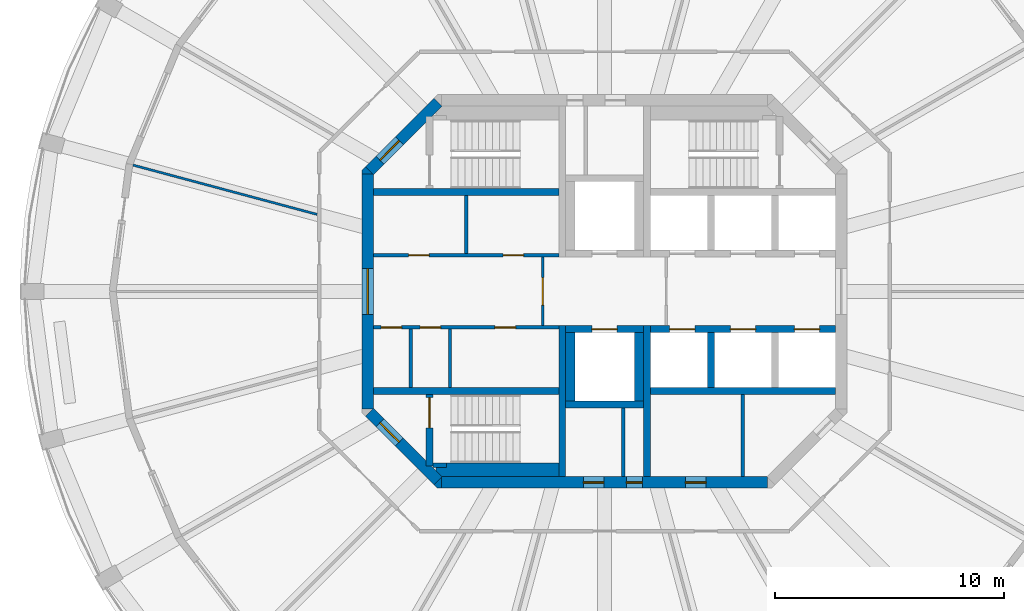
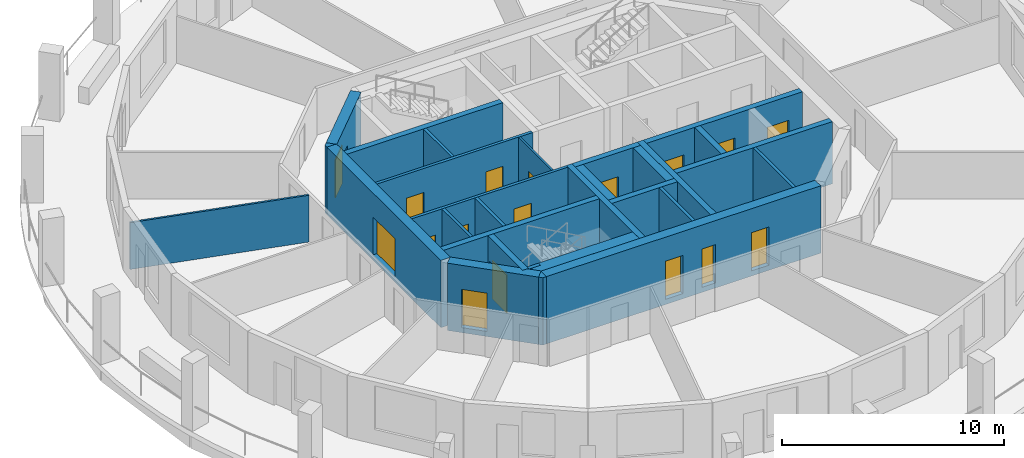
# One storey, part 3 of 8: 29 walls, 17 doors, 17 openings.
"""IFC4 building model written with IfcOpenShell, lengths in metres."""

from ifc_helpers import new_model, si_unit, direction, frame, frame_2d, origin, place, context, subcontext, project, spatial, polyline, rectangle, outline, extrude, material, layer, layer_set, type_object, element, fill, save


model = new_model("IFC4")

# Units and contexts
model_context = context("Model", 3, precision=1e-05, world=origin(), true_north=direction((0.0, 1.0)))
body_context = subcontext(model_context, "Body", "Model", "MODEL_VIEW")
ifc_project = project(units=[si_unit("LENGTHUNIT", "METRE"), si_unit("AREAUNIT", "SQUARE_METRE"), si_unit("VOLUMEUNIT", "CUBIC_METRE"), si_unit("PLANEANGLEUNIT", "RADIAN"), si_unit("MASSUNIT", "GRAM", prefix="KILO")], contexts=[model_context])

# Site, building, storey
site_placement = place(None, origin())
site = spatial("IfcSite", under=ifc_project, at=site_placement, CompositionType="ELEMENT")
building_placement = place(site_placement, origin())
building = spatial("IfcBuilding", under=site, at=building_placement, Name="Torre Triforio", CompositionType="ELEMENT")
storey_placement = place(building_placement, frame((0.0, 0.0, 283.39990234375)))
storey = spatial("IfcBuildingStorey", under=building, at=storey_placement, Name="L65", CompositionType="ELEMENT", Elevation=283.39990234375)

# Walls
ifc_material_1 = material(Name="Concrete C40", Category="concrete")
ifc_layer_1 = layer(ifc_material_1, 0.300048828125)
ifc_layer_set_1 = layer_set([ifc_layer_1], Name="Concrete C40")
wall_type_1 = type_object("IfcWallType", Name="Core wall 300 mm C40 EI 120", PredefinedType="SHEAR", material=ifc_layer_set_1)
for number, where, z_axis, x_axis, name in (
    (1, (-1.85009765625, -8.10009765625, 0.0), (0.0, 0.0, 1.0), (0.0, 1.0, 0.0), "Core wall"),
    (2, (1.85009765625, -8.10009765625, 0.0), (0.0, 0.0, 1.0), (0.0, 1.0, 0.0), "Core wall"),
):
    element("IfcWall", number, at=place(storey_placement, frame(where, z_axis=z_axis, x_axis=x_axis)), inside=storey, type_object=wall_type_1, Name=name, PredefinedType="SHEAR", context=body_context, shape_type="SweptSolid", body=[
        extrude(rectangle(XDim=6.60009765625, YDim=0.300048828125, at=frame_2d((3.300048828125, 0.0))), origin(), (0.0, 0.0, 1.0), 3.420166015625),
    ])

# Wall, openings, doors
ifc_layer_2 = layer(ifc_material_1, 0.5)
ifc_layer_set_2 = layer_set([ifc_layer_2], Name="Concrete C40")
wall_type_2 = type_object("IfcWallType", Name="Core wall 500 mm C40 EI 120", PredefinedType="SHEAR", material=ifc_layer_set_2)
wall_1_placement = place(storey_placement, frame((-7.1298828125, -8.35009765625, -0.27978515625), z_axis=(0.0, 0.0, 1.0), x_axis=(1.0, 0.0, 0.0)))
wall_1 = element("IfcWall", 3, at=wall_1_placement, inside=storey, type_object=wall_type_2, Name="Core wall", PredefinedType="SHEAR", context=body_context, shape_type="SweptSolid", body=[
    extrude(rectangle(XDim=14.259765625, YDim=0.5, at=frame_2d((7.1298828125, 0.0))), origin(), (0.0, 0.0, 1.0), 3.699951171875),
])
opening_1_placement = place(wall_1_placement, frame((8.080078125, 0.0, 0.280029296875)))
opening_1 = element("IfcOpeningElement", 4, at=opening_1_placement, cuts=wall_1, Name="Opening RISER-S", PredefinedType="OPENING", context=body_context, shape_type="SweptSolid", body=[
    extrude(rectangle(XDim=0.699951171875, YDim=2.10009765625, at=frame_2d((0.35009765625, 1.050048828125))), frame((0.0, 0.260009765625, 0.0), z_axis=(0.0, -1.0, 0.0), x_axis=(1.0, 0.0, 0.0)), (0.0, 0.0, 1.0), 0.52001953125),
])
opening_2_placement = place(wall_1_placement, frame((6.205078125, 0.0, 0.280029296875)))
opening_2 = element("IfcOpeningElement", 5, at=opening_2_placement, cuts=wall_1, Name="Opening SW-01B", PredefinedType="OPENING", context=body_context, shape_type="SweptSolid", body=[
    extrude(rectangle(XDim=0.89990234375, YDim=2.10009765625, at=frame_2d((0.449951171875, 1.050048828125))), frame((0.0, 0.260009765625, 0.0), z_axis=(0.0, -1.0, 0.0), x_axis=(1.0, 0.0, 0.0)), (0.0, 0.0, 1.0), 0.52001953125),
])
opening_3_placement = place(wall_1_placement, frame((10.66748046875, 0.0, 0.280029296875)))
opening_3 = element("IfcOpeningElement", 6, at=opening_3_placement, cuts=wall_1, Name="Opening SE-01A", PredefinedType="OPENING", context=body_context, shape_type="SweptSolid", body=[
    extrude(rectangle(XDim=0.89990234375, YDim=2.10009765625, at=frame_2d((0.449951171875, 1.050048828125))), frame((0.0, 0.260009765625, 0.0), z_axis=(0.0, -1.0, 0.0), x_axis=(1.0, 0.0, 0.0)), (0.0, 0.0, 1.0), 0.52001953125),
])
ifc_material_2 = material(Name="Hollow metal fire door leaf")
door_type_1 = type_object("IfcDoorType", Name="Riser door 700 x 2100 EI 60", OperationType="NOTDEFINED", PredefinedType="DOOR", material=ifc_material_2)
door_1_placement = place(opening_1_placement, origin())
door_1 = element("IfcDoor", 7, at=door_1_placement, inside=storey, type_object=door_type_1, Name="Core door RISER-S", OperationType="SINGLE_SWING_RIGHT", OverallHeight=2.10009765625, OverallWidth=0.699951171875, PredefinedType="DOOR", context=body_context, shape_type="SweptSolid", body=[
    extrude(rectangle(XDim=0.699951171875, YDim=2.10009765625, at=frame_2d((0.35009765625, 1.050048828125))), frame((0.0, 0.02490234375, 0.0), z_axis=(0.0, -1.0, 0.0), x_axis=(1.0, 0.0, 0.0)), (0.0, 0.0, 1.0), 0.050048828125),
])
fill(opening_1, door_1)
door_type_2 = type_object("IfcDoorType", Name="Room door 900 x 2100 EI 60", OperationType="NOTDEFINED", PredefinedType="DOOR", material=ifc_material_2)
door_2_placement = place(opening_2_placement, origin())
door_2 = element("IfcDoor", 8, at=door_2_placement, inside=storey, type_object=door_type_2, Name="Core door SW-01", OperationType="SINGLE_SWING_LEFT", OverallHeight=2.10009765625, OverallWidth=0.89990234375, PredefinedType="DOOR", context=body_context, shape_type="SweptSolid", body=[
    extrude(rectangle(XDim=0.89990234375, YDim=2.10009765625, at=frame_2d((0.449951171875, 1.050048828125))), frame((0.0, 0.02490234375, 0.0), z_axis=(0.0, -1.0, 0.0), x_axis=(1.0, 0.0, 0.0)), (0.0, 0.0, 1.0), 0.050048828125),
])
fill(opening_2, door_2)
door_3_placement = place(opening_3_placement, origin())
door_3 = element("IfcDoor", 9, at=door_3_placement, inside=storey, type_object=door_type_2, Name="Core door SE-01", OperationType="SINGLE_SWING_LEFT", OverallHeight=2.10009765625, OverallWidth=0.89990234375, PredefinedType="DOOR", context=body_context, shape_type="SweptSolid", body=[
    extrude(rectangle(XDim=0.89990234375, YDim=2.10009765625, at=frame_2d((0.449951171875, 1.050048828125))), frame((0.0, 0.02490234375, 0.0), z_axis=(0.0, -1.0, 0.0), x_axis=(1.0, 0.0, 0.0)), (0.0, 0.0, 1.0), 0.050048828125),
])
fill(opening_3, door_3)

# Wall, opening, door
wall_2_placement = place(storey_placement, frame((-10.35009765625, -5.1298828125, -0.27978515625), z_axis=(0.0, 0.0, 1.0), x_axis=(0.0, 1.0, 0.0)))
wall_2 = element("IfcWall", 10, at=wall_2_placement, inside=storey, type_object=wall_type_2, Name="Core wall", PredefinedType="SHEAR", context=body_context, shape_type="SweptSolid", body=[
    extrude(rectangle(XDim=10.259765625, YDim=0.5, at=frame_2d((5.1298828125, 0.0))), origin(), (0.0, 0.0, 1.0), 3.699951171875),
])
opening_4_placement = place(wall_2_placement, frame((4.1298828125, 0.0, 0.280029296875)))
opening_4 = element("IfcOpeningElement", 11, at=opening_4_placement, cuts=wall_2, Name="Opening W-RING", PredefinedType="OPENING", context=body_context, shape_type="SweptSolid", body=[
    extrude(rectangle(XDim=2.0, YDim=2.10009765625, at=frame_2d((1.0, 1.050048828125))), frame((0.0, 0.260009765625, 0.0), z_axis=(0.0, -1.0, 0.0), x_axis=(1.0, 0.0, 0.0)), (0.0, 0.0, 1.0), 0.52001953125),
])
door_type_3 = type_object("IfcDoorType", Name="Lobby door 2000 x 2100 EI 60", OperationType="DOUBLE_DOOR_SINGLE_SWING", PredefinedType="DOOR", material=ifc_material_2)
door_4_placement = place(opening_4_placement, origin())
door_4 = element("IfcDoor", 12, at=door_4_placement, inside=storey, type_object=door_type_3, Name="Core door W-RING", OperationType="DOUBLE_DOOR_SINGLE_SWING", OverallHeight=2.10009765625, OverallWidth=2.0, PredefinedType="DOOR", context=body_context, shape_type="SweptSolid", body=[
    extrude(rectangle(XDim=2.0, YDim=2.10009765625, at=frame_2d((1.0, 1.050048828125))), frame((0.0, 0.02490234375, 0.0), z_axis=(0.0, -1.0, 0.0), x_axis=(1.0, 0.0, 0.0)), (0.0, 0.0, 1.0), 0.050048828125),
])
fill(opening_4, door_4)

wall_3_placement = place(storey_placement, frame((-10.27685546875, 5.27685546875, -0.27978515625), z_axis=(0.0, 0.0, 1.0), x_axis=(0.707106781187, 0.707106781187, 0.0)))
wall_3 = element("IfcWall", 13, at=wall_3_placement, inside=storey, type_object=wall_type_2, Name="Core wall", PredefinedType="SHEAR", context=body_context, shape_type="SweptSolid", body=[
    extrude(rectangle(XDim=4.24267578125, YDim=0.5, at=frame_2d((2.121337890625, 0.0))), origin(), (0.0, 0.0, 1.0), 3.699951171875),
])
opening_5_placement = place(wall_3_placement, frame((0.64990234375, 0.0, 0.280029296875)))
opening_5 = element("IfcOpeningElement", 14, at=opening_5_placement, cuts=wall_3, Name="Opening ST1-EXIT", PredefinedType="OPENING", context=body_context, shape_type="SweptSolid", body=[
    extrude(rectangle(XDim=1.199951171875, YDim=2.10009765625, at=frame_2d((0.60009765625, 1.050048828125))), frame((0.0, 0.260009765625, 0.0), z_axis=(0.0, -1.0, 0.0), x_axis=(1.0, 0.0, 0.0)), (0.0, 0.0, 1.0), 0.52001953125),
])
door_type_4 = type_object("IfcDoorType", Name="Stair lobby door 1200 x 2100 EI 60", OperationType="NOTDEFINED", PredefinedType="DOOR", material=ifc_material_2)
door_5_placement = place(opening_5_placement, origin())
door_5 = element("IfcDoor", 15, at=door_5_placement, inside=storey, type_object=door_type_4, Name="Core door ST1-EXIT", OperationType="SINGLE_SWING_RIGHT", OverallHeight=2.10009765625, OverallWidth=1.199951171875, PredefinedType="DOOR", context=body_context, shape_type="SweptSolid", body=[
    extrude(rectangle(XDim=1.199951171875, YDim=2.10009765625, at=frame_2d((0.60009765625, 1.050048828125))), frame((0.0, 0.02490234375, 0.0), z_axis=(0.0, -1.0, 0.0), x_axis=(1.0, 0.0, 0.0)), (0.0, 0.0, 1.0), 0.050048828125),
])
fill(opening_5, door_5)

wall_4_placement = place(storey_placement, frame((-7.27685546875, -8.27685546875, -0.27978515625), z_axis=(0.0, 0.0, 1.0), x_axis=(-0.707106781187, 0.707106781187, 0.0)))
wall_4 = element("IfcWall", 16, at=wall_4_placement, inside=storey, type_object=wall_type_2, Name="Core wall", PredefinedType="SHEAR", context=body_context, shape_type="SweptSolid", body=[
    extrude(rectangle(XDim=4.24267578125, YDim=0.5, at=frame_2d((2.121337890625, 0.0))), origin(), (0.0, 0.0, 1.0), 3.699951171875),
])
opening_6_placement = place(wall_4_placement, frame((2.392578125, 0.0, 0.280029296875)))
opening_6 = element("IfcOpeningElement", 17, at=opening_6_placement, cuts=wall_4, Name="Opening ST3-EXIT", PredefinedType="OPENING", context=body_context, shape_type="SweptSolid", body=[
    extrude(rectangle(XDim=1.199951171875, YDim=2.10009765625, at=frame_2d((0.60009765625, 1.050048828125))), frame((0.0, 0.260009765625, 0.0), z_axis=(0.0, -1.0, 0.0), x_axis=(1.0, 0.0, 0.0)), (0.0, 0.0, 1.0), 0.52001953125),
])
door_6_placement = place(opening_6_placement, origin())
door_6 = element("IfcDoor", 18, at=door_6_placement, inside=storey, type_object=door_type_4, Name="Core door ST3-EXIT", OperationType="SINGLE_SWING_RIGHT", OverallHeight=2.10009765625, OverallWidth=1.199951171875, PredefinedType="DOOR", context=body_context, shape_type="SweptSolid", body=[
    extrude(rectangle(XDim=1.199951171875, YDim=2.10009765625, at=frame_2d((0.60009765625, 1.050048828125))), frame((0.0, 0.02490234375, 0.0), z_axis=(0.0, -1.0, 0.0), x_axis=(1.0, 0.0, 0.0)), (0.0, 0.0, 1.0), 0.050048828125),
])
fill(opening_6, door_6)

# Walls
wall_5_placement = place(storey_placement, frame((0.0, 0.0, -0.27978515625)))
element("IfcWall", 19, at=wall_5_placement, inside=storey, type_object=wall_type_2, Name="Core wall", PredefinedType="SHEAR", context=body_context, shape_type="SweptSolid", body=[
    extrude(outline(polyline([(-7.30712890625, -8.60009765625), (-7.45361328125, -8.45361328125), (-7.1298828125, -8.1298828125), (-7.1298828125, -8.60009765625), (-7.30712890625, -8.60009765625)])), origin(), (0.0, 0.0, 1.0), 3.699951171875),
])
wall_6_placement = place(storey_placement, frame((0.0, 0.0, -0.27978515625)))
element("IfcWall", 20, at=wall_6_placement, inside=storey, type_object=wall_type_2, Name="Core wall", PredefinedType="SHEAR", context=body_context, shape_type="SweptSolid", body=[
    extrude(outline(polyline([(-10.45361328125, 5.45361328125), (-10.1298828125, 5.1298828125), (-10.60009765625, 5.1298828125), (-10.60009765625, 5.30712890625), (-10.45361328125, 5.45361328125)])), origin(), (0.0, 0.0, 1.0), 3.699951171875),
])

# Wall, opening, door
ifc_material_3 = material(Name="Block and board partition")
ifc_layer_3 = layer(ifc_material_3, 0.10009765625)
ifc_layer_set_3 = layer_set([ifc_layer_3], Name="Block and board partition")
wall_type_3 = type_object("IfcWallType", Name="Partition 100 mm EI 120", PredefinedType="PARTITIONING", material=ifc_layer_set_3)
wall_7_placement = place(storey_placement, frame((-2.699951171875, -1.5, 0.0), z_axis=(0.0, 0.0, 1.0), x_axis=(0.0, 1.0, 0.0)))
wall_7 = element("IfcWall", 21, at=wall_7_placement, inside=storey, type_object=wall_type_3, Name="Partition", PredefinedType="PARTITIONING", context=body_context, shape_type="SweptSolid", body=[
    extrude(rectangle(XDim=3.0, YDim=0.10009765625, at=frame_2d((1.5, 0.0))), origin(), (0.0, 0.0, 1.0), 3.420166015625),
])
opening_7_placement = place(wall_7_placement, frame((0.89990234375, 0.0, 0.0)))
opening_7 = element("IfcOpeningElement", 22, at=opening_7_placement, cuts=wall_7, Name="Opening FF-W", PredefinedType="OPENING", context=body_context, shape_type="SweptSolid", body=[
    extrude(rectangle(XDim=1.199951171875, YDim=2.10009765625, at=frame_2d((0.60009765625, 1.050048828125))), frame((0.0, 0.06005859375, 0.0), z_axis=(0.0, -1.0, 0.0), x_axis=(1.0, 0.0, 0.0)), (0.0, 0.0, 1.0), 0.1201171875),
])
door_type_5 = type_object("IfcDoorType", Name="Fire-fighting lobby door 1200 x 2100 EI 60", OperationType="NOTDEFINED", PredefinedType="DOOR", material=ifc_material_2)
door_7_placement = place(opening_7_placement, origin())
door_7 = element("IfcDoor", 23, at=door_7_placement, inside=storey, type_object=door_type_5, Name="Core door FF-W", OperationType="SINGLE_SWING_LEFT", OverallHeight=2.10009765625, OverallWidth=1.199951171875, PredefinedType="DOOR", context=body_context, shape_type="SweptSolid", body=[
    extrude(rectangle(XDim=1.199951171875, YDim=2.10009765625, at=frame_2d((0.60009765625, 1.050048828125))), frame((0.0, 0.02490234375, 0.0), z_axis=(0.0, -1.0, 0.0), x_axis=(1.0, 0.0, 0.0)), (0.0, 0.0, 1.0), 0.050048828125),
])
fill(opening_7, door_7)

# Walls
ifc_material_4 = material(Name="Plasterboard on metal studs")
ifc_layer_4 = layer(ifc_material_4, 0.10009765625)
ifc_layer_set_4 = layer_set([ifc_layer_4], Name="Plasterboard on metal studs")
wall_type_4 = type_object("IfcWallType", Name="Partition 100 mm board on metal studs", PredefinedType="PARTITIONING", material=ifc_layer_set_4)
wall_8_placement = place(storey_placement, frame((-12.564208984375, 3.36669921875, 0.0), z_axis=(0.0, 0.0, 1.0), x_axis=(-0.965933136847, 0.258791760188, 0.0)))
element("IfcWall", 24, at=wall_8_placement, inside=storey, type_object=wall_type_4, Name="Partition 16", PredefinedType="PARTITIONING", context=body_context, shape_type="SweptSolid", body=[
    extrude(rectangle(XDim=8.3291015625, YDim=0.10009765625, at=frame_2d((4.16455078125, 0.0))), origin(), (0.0, 0.0, 1.0), 2.570068359375),
])
ifc_layer_5 = layer(ifc_material_3, 0.14990234375)
ifc_layer_set_5 = layer_set([ifc_layer_5], Name="Block and board partition")
wall_type_5 = type_object("IfcWallType", Name="Partition 150 mm", PredefinedType="PARTITIONING", material=ifc_layer_set_5)
wall_9_placement = place(storey_placement, frame((6.050048828125, -8.10009765625, 0.0), z_axis=(0.0, 0.0, 1.0), x_axis=(0.0, 1.0, 0.0)))
element("IfcWall", 25, at=wall_9_placement, inside=storey, type_object=wall_type_5, Name="Partition", PredefinedType="PARTITIONING", context=body_context, shape_type="SweptSolid", body=[
    extrude(rectangle(XDim=3.60009765625, YDim=0.14990234375, at=frame_2d((1.800048828125, 0.0))), origin(), (0.0, 0.0, 1.0), 3.420166015625),
])
for number, where, z_axis, x_axis, name in (
    (26, (-6.050048828125, 1.64990234375, 0.0), (0.0, 0.0, 1.0), (0.0, 1.0, 0.0), "Partition"),
    (27, (-8.465087890625, -4.199951171875, 0.0), (0.0, 0.0, 1.0), (0.0, 1.0, 0.0), "Partition"),
    (28, (-6.7548828125, -4.199951171875, 0.0), (0.0, 0.0, 1.0), (0.0, 1.0, 0.0), "Partition"),
):
    element("IfcWall", number, at=place(storey_placement, frame(where, z_axis=z_axis, x_axis=x_axis)), inside=storey, type_object=wall_type_5, Name=name, PredefinedType="PARTITIONING", context=body_context, shape_type="SweptSolid", body=[
        extrude(rectangle(XDim=2.550048828125, YDim=0.14990234375, at=frame_2d((1.27490234375, 0.0))), origin(), (0.0, 0.0, 1.0), 3.420166015625),
    ])
ifc_layer_6 = layer(ifc_material_3, 0.14990234375)
ifc_layer_set_6 = layer_set([ifc_layer_6], Name="Block and board partition")
wall_type_6 = type_object("IfcWallType", Name="Partition 150 mm EI 120", PredefinedType="PARTITIONING", material=ifc_layer_set_6)
wall_10_placement = place(storey_placement, frame((0.824951171875, -8.10009765625, 0.0), z_axis=(0.0, 0.0, 1.0), x_axis=(0.0, 1.0, 0.0)))
element("IfcWall", 29, at=wall_10_placement, inside=storey, type_object=wall_type_6, Name="Partition", PredefinedType="PARTITIONING", context=body_context, shape_type="SweptSolid", body=[
    extrude(rectangle(XDim=3.0, YDim=0.14990234375, at=frame_2d((1.5, 0.0))), origin(), (0.0, 0.0, 1.0), 3.420166015625),
])

# Wall, openings, doors
wall_11_placement = place(storey_placement, frame((-10.10009765625, 1.574951171875, 0.0), z_axis=(0.0, 0.0, 1.0), x_axis=(1.0, 0.0, 0.0)))
wall_11 = element("IfcWall", 30, at=wall_11_placement, inside=storey, type_object=wall_type_6, Name="Partition", PredefinedType="PARTITIONING", context=body_context, shape_type="SweptSolid", body=[
    extrude(rectangle(XDim=8.10009765625, YDim=0.14990234375, at=frame_2d((4.050048828125, 0.0))), origin(), (0.0, 0.0, 1.0), 3.420166015625),
])
opening_8_placement = place(wall_11_placement, frame((1.53759765625, 0.0, 0.0)))
opening_8 = element("IfcOpeningElement", 31, at=opening_8_placement, cuts=wall_11, Name="Opening FN-01", PredefinedType="OPENING", context=body_context, shape_type="SweptSolid", body=[
    extrude(rectangle(XDim=0.89990234375, YDim=2.10009765625, at=frame_2d((0.449951171875, 1.050048828125))), frame((0.0, 0.0849609375, 0.0), z_axis=(0.0, -1.0, 0.0), x_axis=(1.0, 0.0, 0.0)), (0.0, 0.0, 1.0), 0.169921875),
])
opening_9_placement = place(wall_11_placement, frame((5.66259765625, 0.0, 0.0)))
opening_9 = element("IfcOpeningElement", 32, at=opening_9_placement, cuts=wall_11, Name="Opening FN-02", PredefinedType="OPENING", context=body_context, shape_type="SweptSolid", body=[
    extrude(rectangle(XDim=0.89990234375, YDim=2.10009765625, at=frame_2d((0.449951171875, 1.050048828125))), frame((0.0, 0.0849609375, 0.0), z_axis=(0.0, -1.0, 0.0), x_axis=(1.0, 0.0, 0.0)), (0.0, 0.0, 1.0), 0.169921875),
])
door_8_placement = place(opening_8_placement, origin())
door_8 = element("IfcDoor", 33, at=door_8_placement, inside=storey, type_object=door_type_2, Name="Core door FN-01", OperationType="SINGLE_SWING_RIGHT", OverallHeight=2.10009765625, OverallWidth=0.89990234375, PredefinedType="DOOR", context=body_context, shape_type="SweptSolid", body=[
    extrude(rectangle(XDim=0.89990234375, YDim=2.10009765625, at=frame_2d((0.449951171875, 1.050048828125))), frame((0.0, 0.02490234375, 0.0), z_axis=(0.0, -1.0, 0.0), x_axis=(1.0, 0.0, 0.0)), (0.0, 0.0, 1.0), 0.050048828125),
])
fill(opening_8, door_8)
door_9_placement = place(opening_9_placement, origin())
door_9 = element("IfcDoor", 34, at=door_9_placement, inside=storey, type_object=door_type_2, Name="Core door FN-02", OperationType="SINGLE_SWING_RIGHT", OverallHeight=2.10009765625, OverallWidth=0.89990234375, PredefinedType="DOOR", context=body_context, shape_type="SweptSolid", body=[
    extrude(rectangle(XDim=0.89990234375, YDim=2.10009765625, at=frame_2d((0.449951171875, 1.050048828125))), frame((0.0, 0.02490234375, 0.0), z_axis=(0.0, -1.0, 0.0), x_axis=(1.0, 0.0, 0.0)), (0.0, 0.0, 1.0), 0.050048828125),
])
fill(opening_9, door_9)

wall_12_placement = place(storey_placement, frame((-10.10009765625, -1.574951171875, 0.0), z_axis=(0.0, 0.0, 1.0), x_axis=(1.0, 0.0, 0.0)))
wall_12 = element("IfcWall", 35, at=wall_12_placement, inside=storey, type_object=wall_type_6, Name="Partition", PredefinedType="PARTITIONING", context=body_context, shape_type="SweptSolid", body=[
    extrude(rectangle(XDim=8.10009765625, YDim=0.14990234375, at=frame_2d((4.050048828125, 0.0))), origin(), (0.0, 0.0, 1.0), 3.420166015625),
])
opening_10_placement = place(wall_12_placement, frame((0.330078125, 0.0, 0.0)))
opening_10 = element("IfcOpeningElement", 36, at=opening_10_placement, cuts=wall_12, Name="Opening FS-01", PredefinedType="OPENING", context=body_context, shape_type="SweptSolid", body=[
    extrude(rectangle(XDim=0.89990234375, YDim=2.10009765625, at=frame_2d((0.449951171875, 1.050048828125))), frame((0.0, 0.0849609375, 0.0), z_axis=(0.0, -1.0, 0.0), x_axis=(1.0, 0.0, 0.0)), (0.0, 0.0, 1.0), 0.169921875),
])
opening_11_placement = place(wall_12_placement, frame((2.0400390625, 0.0, 0.0)))
opening_11 = element("IfcOpeningElement", 37, at=opening_11_placement, cuts=wall_12, Name="Opening FS-02", PredefinedType="OPENING", context=body_context, shape_type="SweptSolid", body=[
    extrude(rectangle(XDim=0.89990234375, YDim=2.10009765625, at=frame_2d((0.449951171875, 1.050048828125))), frame((0.0, 0.0849609375, 0.0), z_axis=(0.0, -1.0, 0.0), x_axis=(1.0, 0.0, 0.0)), (0.0, 0.0, 1.0), 0.169921875),
])
opening_12_placement = place(wall_12_placement, frame((5.31005859375, 0.0, 0.0)))
opening_12 = element("IfcOpeningElement", 38, at=opening_12_placement, cuts=wall_12, Name="Opening FS-03", PredefinedType="OPENING", context=body_context, shape_type="SweptSolid", body=[
    extrude(rectangle(XDim=0.89990234375, YDim=2.10009765625, at=frame_2d((0.449951171875, 1.050048828125))), frame((0.0, 0.0849609375, 0.0), z_axis=(0.0, -1.0, 0.0), x_axis=(1.0, 0.0, 0.0)), (0.0, 0.0, 1.0), 0.169921875),
])
door_10_placement = place(opening_10_placement, origin())
door_10 = element("IfcDoor", 39, at=door_10_placement, inside=storey, type_object=door_type_2, Name="Core door FS-01", OperationType="SINGLE_SWING_LEFT", OverallHeight=2.10009765625, OverallWidth=0.89990234375, PredefinedType="DOOR", context=body_context, shape_type="SweptSolid", body=[
    extrude(rectangle(XDim=0.89990234375, YDim=2.10009765625, at=frame_2d((0.449951171875, 1.050048828125))), frame((0.0, 0.02490234375, 0.0), z_axis=(0.0, -1.0, 0.0), x_axis=(1.0, 0.0, 0.0)), (0.0, 0.0, 1.0), 0.050048828125),
])
fill(opening_10, door_10)
door_11_placement = place(opening_11_placement, origin())
door_11 = element("IfcDoor", 40, at=door_11_placement, inside=storey, type_object=door_type_2, Name="Core door FS-02", OperationType="SINGLE_SWING_LEFT", OverallHeight=2.10009765625, OverallWidth=0.89990234375, PredefinedType="DOOR", context=body_context, shape_type="SweptSolid", body=[
    extrude(rectangle(XDim=0.89990234375, YDim=2.10009765625, at=frame_2d((0.449951171875, 1.050048828125))), frame((0.0, 0.02490234375, 0.0), z_axis=(0.0, -1.0, 0.0), x_axis=(1.0, 0.0, 0.0)), (0.0, 0.0, 1.0), 0.050048828125),
])
fill(opening_11, door_11)
door_12_placement = place(opening_12_placement, origin())
door_12 = element("IfcDoor", 41, at=door_12_placement, inside=storey, type_object=door_type_2, Name="Core door FS-03", OperationType="SINGLE_SWING_LEFT", OverallHeight=2.10009765625, OverallWidth=0.89990234375, PredefinedType="DOOR", context=body_context, shape_type="SweptSolid", body=[
    extrude(rectangle(XDim=0.89990234375, YDim=2.10009765625, at=frame_2d((0.449951171875, 1.050048828125))), frame((0.0, 0.02490234375, 0.0), z_axis=(0.0, -1.0, 0.0), x_axis=(1.0, 0.0, 0.0)), (0.0, 0.0, 1.0), 0.050048828125),
])
fill(opening_12, door_12)

# Walls
ifc_layer_7 = layer(ifc_material_1, 0.300048828125)
ifc_layer_set_7 = layer_set([ifc_layer_7], Name="Concrete C40")
wall_type_7 = type_object("IfcWallType", Name="Shaft wall 300 mm C40 EI 120", PredefinedType="SOLIDWALL", material=ifc_layer_set_7)
for number, where, z_axis, x_axis, name in (
    (42, (-10.10009765625, 4.35009765625, 0.0), (0.0, 0.0, 1.0), (1.0, 0.0, 0.0), "Shaft wall"),
    (43, (-10.10009765625, -4.35009765625, 0.0), (0.0, 0.0, 1.0), (1.0, 0.0, 0.0), "Shaft wall"),
    (44, (2.0, -4.35009765625, 0.0), (0.0, 0.0, 1.0), (1.0, 0.0, 0.0), "Shaft wall"),
):
    element("IfcWall", number, at=place(storey_placement, frame(where, z_axis=z_axis, x_axis=x_axis)), inside=storey, type_object=wall_type_7, Name=name, PredefinedType="SOLIDWALL", context=body_context, shape_type="SweptSolid", body=[
        extrude(rectangle(XDim=8.10009765625, YDim=0.300048828125, at=frame_2d((4.050048828125, 0.0))), origin(), (0.0, 0.0, 1.0), 3.420166015625),
    ])

# Wall, openings, doors
wall_13_placement = place(storey_placement, frame((2.0, -1.64990234375, 0.0), z_axis=(0.0, 0.0, 1.0), x_axis=(1.0, 0.0, 0.0)))
wall_13 = element("IfcWall", 45, at=wall_13_placement, inside=storey, type_object=wall_type_7, Name="Shaft wall", PredefinedType="SOLIDWALL", context=body_context, shape_type="SweptSolid", body=[
    extrude(rectangle(XDim=8.10009765625, YDim=0.300048828125, at=frame_2d((4.050048828125, 0.0))), origin(), (0.0, 0.0, 1.0), 3.420166015625),
])
opening_13_placement = place(wall_13_placement, frame((0.85009765625, 0.0, 0.0)))
opening_13 = element("IfcOpeningElement", 46, at=opening_13_placement, cuts=wall_13, Name="Opening LD", PredefinedType="OPENING", context=body_context, shape_type="SweptSolid", body=[
    extrude(rectangle(XDim=1.10009765625, YDim=2.10009765625, at=frame_2d((0.550048828125, 1.050048828125))), frame((0.0, 0.159912109375, 0.0), z_axis=(0.0, -1.0, 0.0), x_axis=(1.0, 0.0, 0.0)), (0.0, 0.0, 1.0), 0.320068359375),
])
opening_14_placement = place(wall_13_placement, frame((3.5, 0.0, 0.0)))
opening_14 = element("IfcOpeningElement", 47, at=opening_14_placement, cuts=wall_13, Name="Opening LD", PredefinedType="OPENING", context=body_context, shape_type="SweptSolid", body=[
    extrude(rectangle(XDim=1.10009765625, YDim=2.10009765625, at=frame_2d((0.550048828125, 1.050048828125))), frame((0.0, 0.159912109375, 0.0), z_axis=(0.0, -1.0, 0.0), x_axis=(1.0, 0.0, 0.0)), (0.0, 0.0, 1.0), 0.320068359375),
])
opening_15_placement = place(wall_13_placement, frame((6.300048828125, 0.0, 0.0)))
opening_15 = element("IfcOpeningElement", 48, at=opening_15_placement, cuts=wall_13, Name="Opening LD", PredefinedType="OPENING", context=body_context, shape_type="SweptSolid", body=[
    extrude(rectangle(XDim=1.10009765625, YDim=2.10009765625, at=frame_2d((0.550048828125, 1.050048828125))), frame((0.0, 0.159912109375, 0.0), z_axis=(0.0, -1.0, 0.0), x_axis=(1.0, 0.0, 0.0)), (0.0, 0.0, 1.0), 0.320068359375),
])
door_type_6 = type_object("IfcDoorType", Name="Landing door 1100 x 2100 EI 60", OperationType="DOUBLE_DOOR_SLIDING", PredefinedType="DOOR", material=ifc_material_2)
door_13_placement = place(opening_13_placement, origin())
door_13 = element("IfcDoor", 49, at=door_13_placement, inside=storey, type_object=door_type_6, Name="Landing door HR4", OperationType="DOUBLE_DOOR_SLIDING", OverallHeight=2.10009765625, OverallWidth=1.10009765625, PredefinedType="DOOR", context=body_context, shape_type="SweptSolid", body=[
    extrude(rectangle(XDim=1.10009765625, YDim=2.10009765625, at=frame_2d((0.550048828125, 1.050048828125))), frame((0.0, 0.02490234375, 0.0), z_axis=(0.0, -1.0, 0.0), x_axis=(1.0, 0.0, 0.0)), (0.0, 0.0, 1.0), 0.050048828125),
])
fill(opening_13, door_13)
door_14_placement = place(opening_14_placement, origin())
door_14 = element("IfcDoor", 50, at=door_14_placement, inside=storey, type_object=door_type_6, Name="Landing door HR5", OperationType="DOUBLE_DOOR_SLIDING", OverallHeight=2.10009765625, OverallWidth=1.10009765625, PredefinedType="DOOR", context=body_context, shape_type="SweptSolid", body=[
    extrude(rectangle(XDim=1.10009765625, YDim=2.10009765625, at=frame_2d((0.550048828125, 1.050048828125))), frame((0.0, 0.02490234375, 0.0), z_axis=(0.0, -1.0, 0.0), x_axis=(1.0, 0.0, 0.0)), (0.0, 0.0, 1.0), 0.050048828125),
])
fill(opening_14, door_14)
door_15_placement = place(opening_15_placement, origin())
door_15 = element("IfcDoor", 51, at=door_15_placement, inside=storey, type_object=door_type_6, Name="Landing door HR6", OperationType="DOUBLE_DOOR_SLIDING", OverallHeight=2.10009765625, OverallWidth=1.10009765625, PredefinedType="DOOR", context=body_context, shape_type="SweptSolid", body=[
    extrude(rectangle(XDim=1.10009765625, YDim=2.10009765625, at=frame_2d((0.550048828125, 1.050048828125))), frame((0.0, 0.02490234375, 0.0), z_axis=(0.0, -1.0, 0.0), x_axis=(1.0, 0.0, 0.0)), (0.0, 0.0, 1.0), 0.050048828125),
])
fill(opening_15, door_15)

# Wall
wall_14_placement = place(storey_placement, frame((4.64990234375, -4.199951171875, 0.0), z_axis=(0.0, 0.0, 1.0), x_axis=(0.0, 1.0, 0.0)))
element("IfcWall", 52, at=wall_14_placement, inside=storey, type_object=wall_type_7, Name="Shaft wall", PredefinedType="SOLIDWALL", context=body_context, shape_type="SweptSolid", body=[
    extrude(rectangle(XDim=2.39990234375, YDim=0.300048828125, at=frame_2d((1.199951171875, 0.0))), origin(), (0.0, 0.0, 1.0), 3.420166015625),
])

# Wall, opening, door
wall_15_placement = place(storey_placement, frame((-1.699951171875, -1.64990234375, 0.0), z_axis=(0.0, 0.0, 1.0), x_axis=(1.0, 0.0, 0.0)))
wall_15 = element("IfcWall", 53, at=wall_15_placement, inside=storey, type_object=wall_type_7, Name="Shaft wall", PredefinedType="SOLIDWALL", context=body_context, shape_type="SweptSolid", body=[
    extrude(rectangle(XDim=3.39990234375, YDim=0.300048828125, at=frame_2d((1.699951171875, 0.0))), origin(), (0.0, 0.0, 1.0), 3.420166015625),
])
opening_16_placement = place(wall_15_placement, frame((1.14990234375, 0.0, 0.0)))
opening_16 = element("IfcOpeningElement", 54, at=opening_16_placement, cuts=wall_15, Name="Opening LD", PredefinedType="OPENING", context=body_context, shape_type="SweptSolid", body=[
    extrude(rectangle(XDim=1.10009765625, YDim=2.10009765625, at=frame_2d((0.550048828125, 1.050048828125))), frame((0.0, 0.159912109375, 0.0), z_axis=(0.0, -1.0, 0.0), x_axis=(1.0, 0.0, 0.0)), (0.0, 0.0, 1.0), 0.320068359375),
])
door_16_placement = place(opening_16_placement, origin())
door_16 = element("IfcDoor", 55, at=door_16_placement, inside=storey, type_object=door_type_6, Name="Landing door FFL2", OperationType="DOUBLE_DOOR_SLIDING", OverallHeight=2.10009765625, OverallWidth=1.10009765625, PredefinedType="DOOR", context=body_context, shape_type="SweptSolid", body=[
    extrude(rectangle(XDim=1.10009765625, YDim=2.10009765625, at=frame_2d((0.550048828125, 1.050048828125))), frame((0.0, 0.02490234375, 0.0), z_axis=(0.0, -1.0, 0.0), x_axis=(1.0, 0.0, 0.0)), (0.0, 0.0, 1.0), 0.050048828125),
])
fill(opening_16, door_16)

# Walls
wall_16_placement = place(storey_placement, frame((-1.699951171875, -4.949951171875, 0.0), z_axis=(0.0, 0.0, 1.0), x_axis=(1.0, 0.0, 0.0)))
element("IfcWall", 56, at=wall_16_placement, inside=storey, type_object=wall_type_7, Name="Shaft wall", PredefinedType="SOLIDWALL", context=body_context, shape_type="SweptSolid", body=[
    extrude(rectangle(XDim=3.39990234375, YDim=0.300048828125, at=frame_2d((1.699951171875, 0.0))), origin(), (0.0, 0.0, 1.0), 3.420166015625),
])
ifc_layer_8 = layer(ifc_material_1, 0.39990234375)
ifc_layer_set_8 = layer_set([ifc_layer_8], Name="Concrete C40")
wall_type_8 = type_object("IfcWallType", Name="Shaft wall 400 mm C40 EI 120", PredefinedType="SOLIDWALL", material=ifc_layer_set_8)
for number, where, z_axis, x_axis, name in (
    (57, (-1.5, -4.800048828125, 0.0), (0.0, 0.0, 1.0), (0.0, 1.0, 0.0), "Shaft wall"),
    (58, (1.5, -4.800048828125, 0.0), (0.0, 0.0, 1.0), (0.0, 1.0, 0.0), "Shaft wall"),
):
    element("IfcWall", number, at=place(storey_placement, frame(where, z_axis=z_axis, x_axis=x_axis)), inside=storey, type_object=wall_type_8, Name=name, PredefinedType="SOLIDWALL", context=body_context, shape_type="SweptSolid", body=[
        extrude(rectangle(XDim=3.0, YDim=0.39990234375, at=frame_2d((1.5, 0.0))), origin(), (0.0, 0.0, 1.0), 3.420166015625),
    ])
ifc_layer_9 = layer(ifc_material_1, 0.199951171875)
ifc_layer_set_9 = layer_set([ifc_layer_9], Name="Concrete C40")
wall_type_9 = type_object("IfcWallType", Name="Stair wall 200 mm C40 EI 120", PredefinedType="SHEAR", material=ifc_layer_set_9)
wall_17_placement = place(storey_placement, frame((-7.5, -7.60009765625, 0.0), z_axis=(0.0, 0.0, 1.0), x_axis=(1.0, 0.0, 0.0)))
element("IfcWall", 59, at=wall_17_placement, inside=storey, type_object=wall_type_9, Name="Stair wall", PredefinedType="SHEAR", context=body_context, shape_type="SweptSolid", body=[
    extrude(rectangle(XDim=0.60009765625, YDim=0.199951171875, at=frame_2d((0.300048828125, 0.0))), origin(), (0.0, 0.0, 1.0), 3.420166015625),
])

# Wall, opening, door
ifc_layer_10 = layer(ifc_material_1, 0.300048828125)
ifc_layer_set_10 = layer_set([ifc_layer_10], Name="Concrete C40")
wall_type_10 = type_object("IfcWallType", Name="Stair wall 300 mm C40 EI 120", PredefinedType="SHEAR", material=ifc_layer_set_10)
wall_18_placement = place(storey_placement, frame((-7.64990234375, -7.639892578125, 0.0), z_axis=(0.0, 0.0, 1.0), x_axis=(0.0, 1.0, 0.0)))
wall_18 = element("IfcWall", 60, at=wall_18_placement, inside=storey, type_object=wall_type_10, Name="Stair wall", PredefinedType="SHEAR", context=body_context, shape_type="SweptSolid", body=[
    extrude(rectangle(XDim=3.139892578125, YDim=0.300048828125, at=frame_2d((1.56982421875, 0.0))), origin(), (0.0, 0.0, 1.0), 3.420166015625),
])
opening_17_placement = place(wall_18_placement, frame((1.679931640625, 0.0, 0.0)))
opening_17 = element("IfcOpeningElement", 61, at=opening_17_placement, cuts=wall_18, Name="Opening ST3-STA", PredefinedType="OPENING", context=body_context, shape_type="SweptSolid", body=[
    extrude(rectangle(XDim=1.320068359375, YDim=2.10009765625, at=frame_2d((0.66015625, 1.050048828125))), frame((0.0, 0.159912109375, 0.0), z_axis=(0.0, -1.0, 0.0), x_axis=(1.0, 0.0, 0.0)), (0.0, 0.0, 1.0), 0.320068359375),
])
door_type_7 = type_object("IfcDoorType", Name="Stair door 1320 x 2100 EI 90", OperationType="DOUBLE_DOOR_SINGLE_SWING", PredefinedType="DOOR", material=ifc_material_2)
door_17_placement = place(opening_17_placement, origin())
door_17 = element("IfcDoor", 62, at=door_17_placement, inside=storey, type_object=door_type_7, Name="Core door ST3-ST", OperationType="DOUBLE_DOOR_SINGLE_SWING", OverallHeight=2.10009765625, OverallWidth=1.320068359375, PredefinedType="DOOR", context=body_context, shape_type="SweptSolid", body=[
    extrude(rectangle(XDim=1.320068359375, YDim=2.10009765625, at=frame_2d((0.66015625, 1.050048828125))), frame((0.0, 0.02490234375, 0.0), z_axis=(0.0, -1.0, 0.0), x_axis=(1.0, 0.0, 0.0)), (0.0, 0.0, 1.0), 0.050048828125),
])
fill(opening_17, door_17)

# Wall
ifc_layer_11 = layer(ifc_material_1, 0.60009765625)
ifc_layer_set_11 = layer_set([ifc_layer_11], Name="Concrete C40")
wall_type_11 = type_object("IfcWallType", Name="Stair wall 600 mm C40 EI 120", PredefinedType="SHEAR", material=ifc_layer_set_11)
wall_19_placement = place(storey_placement, frame((-7.3701171875, -7.800048828125, 0.0), z_axis=(0.0, 0.0, 1.0), x_axis=(1.0, 0.0, 0.0)))
element("IfcWall", 63, at=wall_19_placement, inside=storey, type_object=wall_type_11, Name="Stair wall", PredefinedType="SHEAR", context=body_context, shape_type="SweptSolid", body=[
    extrude(rectangle(XDim=5.3701171875, YDim=0.60009765625, at=frame_2d((2.68505859375, 0.0))), origin(), (0.0, 0.0, 1.0), 3.420166015625),
])

save(model, "model.ifc")
